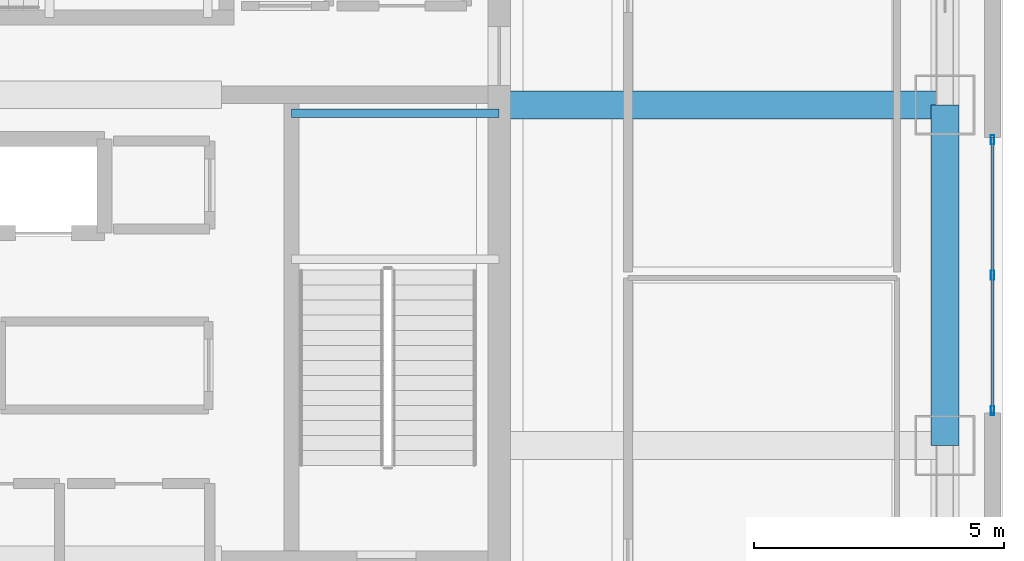
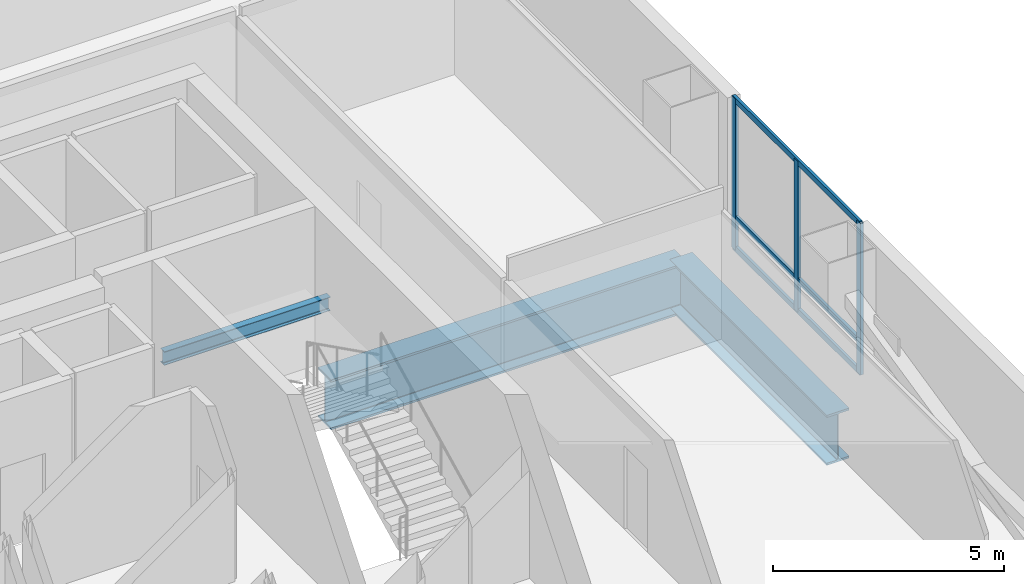
# One storey, part 7 of 28: 6 members, 3 beams, 1 element without a shape of its own.
"""IFC4 building model written with IfcOpenShell, lengths in metres."""

import ifcopenshell
import ifcopenshell.guid

model = None  # the IFC model being written
_history = None  # IfcOwnerHistory: only IFC2X3 demands one
_inside = {}  # id of a spatial element -> (the spatial element, [elements in it])
_under = {}  # id of a project, library or spatial element -> (it, [spatial elements below it])
_declared = {}  # id of a project -> (the project, [libraries it declares])
_typed = {}  # id of a type object -> (the type object, [elements of that type])
_made_of = {}  # id of a material, layer set ... -> (it, [elements and type objects made of it])


def new_model(schema):
    """Start an empty IFC model of exactly this schema.

    Asked for "IFC4X3", IfcOpenShell would pick the latest addendum, in which some entities
    have other attributes; the version numbers below select the first issue.
    IFC2X3 requires an IfcOwnerHistory on every rooted entity: one is made here for all.
    """
    global model, _history
    if schema == "IFC4X3":
        model = ifcopenshell.file(schema_version=(4, 3, 0, 0))
    else:
        model = ifcopenshell.file(schema=schema)
    _inside.clear()
    _under.clear()
    _declared.clear()
    _typed.clear()
    _made_of.clear()
    _history = None
    if model.schema == "IFC2X3":
        org = make("IfcOrganization", Name="unknown")
        user = make(
            "IfcPersonAndOrganization",
            ThePerson=make("IfcPerson", FamilyName="unknown"),
            TheOrganization=org,
        )
        app = make(
            "IfcApplication",
            ApplicationDeveloper=org,
            Version="unknown",
            ApplicationFullName="unknown",
            ApplicationIdentifier="unknown",
        )
        _history = make(
            "IfcOwnerHistory",
            OwningUser=user,
            OwningApplication=app,
            ChangeAction="ADDED",
            CreationDate=0,
        )
    return model


def make(cls, **values):
    """One entity of the class cls with the attributes given. An attribute that is None is left unset."""
    return model.create_entity(
        cls, **{name: value for name, value in values.items() if value is not None}
    )


def rooted(cls, **values):
    """An entity with a GlobalId (a new one), such as an element, a storey or a relation."""
    return make(cls, GlobalId=ifcopenshell.guid.new(), OwnerHistory=_history, **values)


def si_unit(unit_type, name, prefix=None):
    """IfcSIUnit, for example si_unit("LENGTHUNIT", "METRE", prefix="MILLI")."""
    return make("IfcSIUnit", UnitType=unit_type, Prefix=prefix, Name=name)


def assignment(units):
    """IfcUnitAssignment: the units of a project."""
    return None if units is None else make("IfcUnitAssignment", Units=units)


def point(xyz):
    """IfcCartesianPoint."""
    return None if xyz is None else make("IfcCartesianPoint", Coordinates=xyz)


def direction(xyz):
    """IfcDirection."""
    return None if xyz is None else make("IfcDirection", DirectionRatios=xyz)


def frame(location, z_axis=None, x_axis=None):
    """IfcAxis2Placement3D, a coordinate frame: its origin and axes. An axis left out is left unset."""
    return make(
        "IfcAxis2Placement3D",
        Location=point(location),
        Axis=direction(z_axis),
        RefDirection=direction(x_axis),
    )


def frame_2d(location, x_axis=None):
    """IfcAxis2Placement2D, a coordinate frame in the plane: its origin and x axis."""
    return make(
        "IfcAxis2Placement2D", Location=point(location), RefDirection=direction(x_axis)
    )


def origin():
    """The frame at (0, 0, 0) with its axes left unset."""
    return frame((0.0, 0.0, 0.0))


def origin_2d():
    """The frame at (0, 0) in the plane with its x axis left unset."""
    return frame_2d((0.0, 0.0))


def place(relative_to, where):
    """IfcLocalPlacement: puts the frame where relative to a parent placement (None: the world)."""
    return make(
        "IfcLocalPlacement", PlacementRelTo=relative_to, RelativePlacement=where
    )


def context(
    kind, dimensions, precision=None, world=None, true_north=None, identifier=None
):
    """IfcGeometricRepresentationContext, for example the 3D "Model" context."""
    return make(
        "IfcGeometricRepresentationContext",
        ContextIdentifier=identifier,
        ContextType=kind,
        CoordinateSpaceDimension=dimensions,
        Precision=precision,
        WorldCoordinateSystem=world,
        TrueNorth=true_north,
    )


def subcontext(parent, identifier, kind, view, scale=None):
    """IfcGeometricRepresentationSubContext, for example "Body" below "Model"."""
    return make(
        "IfcGeometricRepresentationSubContext",
        ContextIdentifier=identifier,
        ContextType=kind,
        ParentContext=parent,
        TargetScale=scale,
        TargetView=view,
    )


def project(units=None, contexts=None):
    """IfcProject with its units and contexts."""
    return rooted(
        "IfcProject",
        Name="project",
        RepresentationContexts=contexts,
        UnitsInContext=assignment(units),
    )


def spatial(cls, under=None, at=None, **own):
    """A site, building, storey or space (cls), placed at a placement, below another one or the project."""
    s = rooted(cls, ObjectPlacement=at, **own)
    if under is not None:
        _under.setdefault(under.id(), (under, []))[1].append(s)
    return s


def profile(cls, at=None, kind="AREA", **sizes):
    """A parametric profile (cls). Its sizes go by their IFC names, for example OverallWidth=200.0."""
    return make(cls, ProfileType=kind, Position=at, **sizes)


def hollow_rectangle(**sizes):
    """IfcRectangleHollowProfileDef."""
    return profile("IfcRectangleHollowProfileDef", **sizes)


def i_section(**sizes):
    """IfcIShapeProfileDef."""
    return profile("IfcIShapeProfileDef", **sizes)


def extrude(swept, where, along, depth):
    """IfcExtrudedAreaSolid: the profile swept, set in the frame where, extruded along a direction by depth."""
    return make(
        "IfcExtrudedAreaSolid",
        SweptArea=swept,
        Position=where,
        ExtrudedDirection=direction(along),
        Depth=depth,
    )


def shape(context_of_items, identifier, shape_type, items):
    """IfcShapeRepresentation: the items that make up one representation, for example the "Body"."""
    return make(
        "IfcShapeRepresentation",
        ContextOfItems=context_of_items,
        RepresentationIdentifier=identifier,
        RepresentationType=shape_type,
        Items=items,
    )


def material(Name=None, Category=None):
    """IfcMaterial."""
    return make("IfcMaterial", Name=Name, Category=Category)


def material_profile(
    of_material, cross_section, Name=None, Category=None, Priority=None
):
    """IfcMaterialProfile: a cross section and its material."""
    return make(
        "IfcMaterialProfile",
        Name=Name,
        Material=of_material,
        Profile=cross_section,
        Priority=Priority,
        Category=Category,
    )


def profile_set(profiles, Name=None, composite=None):
    """IfcMaterialProfileSet."""
    return make(
        "IfcMaterialProfileSet",
        Name=Name,
        MaterialProfiles=profiles,
        CompositeProfile=composite,
    )


def made_of(thing, what):
    """Note that an element or type object is made of a material, layer set ...; save() writes the relation."""
    if what is not None:
        _made_of.setdefault(what.id(), (what, []))[1].append(thing)
    return thing


def type_object(cls, material=None, **own):
    """A type object (cls), such as IfcWallType, which elements share."""
    return made_of(rooted(cls, **own), material)


def element(
    cls,
    number,
    at=None,
    inside=None,
    cuts=None,
    type_object=None,
    material=None,
    context=None,
    identifier="Body",
    shape_type=None,
    held_by="IfcProductDefinitionShape",
    body=None,
    shapes=None,
    **own,
):
    """One element of the class cls, such as IfcWall. Its Tag is "e" and its number.

    at: its placement. inside: the storey or other place that contains it. cuts: it is an
    opening in that element (IfcRelVoidsElement). A single representation is given by context,
    identifier, shape_type and body (its items); several are given by shapes. held_by: the class
    of the entity that holds the representations. save() writes the other relations.
    """
    e = rooted(cls, Tag="e%d" % number, ObjectPlacement=at, **own)
    if body is not None:
        shapes = [shape(context, identifier, shape_type, body)]
    if shapes is not None:
        e.Representation = make(held_by, Representations=shapes)
    if inside is not None:
        _inside.setdefault(inside.id(), (inside, []))[1].append(e)
    if cuts is not None:
        rooted(
            "IfcRelVoidsElement", RelatingBuildingElement=cuts, RelatedOpeningElement=e
        )
    if type_object is not None:
        _typed.setdefault(type_object.id(), (type_object, []))[1].append(e)
    return made_of(e, material)


def aggregate(whole, parts):
    """IfcRelAggregates: a whole, such as a stair, and the parts it consists of."""
    return rooted("IfcRelAggregates", RelatingObject=whole, RelatedObjects=parts)


def save(model, path):
    """Write the relations noted so far, then the file.

    IfcRelAggregates (storeys below a building ...), IfcRelContainedInSpatialStructure (elements
    in a storey), IfcRelDefinesByType, IfcRelAssociatesMaterial and IfcRelDeclares: one each for
    every whole, place, type object, material and project.
    """
    for whole, parts in _under.values():
        aggregate(whole, parts)
    for where, things in _inside.values():
        rooted(
            "IfcRelContainedInSpatialStructure",
            RelatedElements=things,
            RelatingStructure=where,
        )
    for kind, things in _typed.values():
        rooted("IfcRelDefinesByType", RelatedObjects=things, RelatingType=kind)
    for what, things in _made_of.values():
        rooted("IfcRelAssociatesMaterial", RelatedObjects=things, RelatingMaterial=what)
    for by, libraries in _declared.values():
        rooted("IfcRelDeclares", RelatingContext=by, RelatedDefinitions=libraries)
    model.write(path)


model = new_model("IFC4")

# Units and contexts
model_context = context("Model", 3, precision=1e-05, world=origin(), true_north=direction((0.0, 1.0)))
body_context = subcontext(model_context, "Body", "Model", "MODEL_VIEW")
ifc_project = project(units=[si_unit("LENGTHUNIT", "METRE"), si_unit("AREAUNIT", "SQUARE_METRE"), si_unit("VOLUMEUNIT", "CUBIC_METRE"), si_unit("PLANEANGLEUNIT", "RADIAN"), si_unit("MASSUNIT", "GRAM", prefix="KILO")], contexts=[model_context])

# Site, building, storey
site_placement = place(None, origin())
site = spatial("IfcSite", under=ifc_project, at=site_placement, CompositionType="ELEMENT")
building_placement = place(site_placement, origin())
building = spatial("IfcBuilding", under=site, at=building_placement, Name="Punatoya Terracotta Tower", CompositionType="ELEMENT")
storey_placement = place(building_placement, frame((0.0, 0.0, 317.39990234375)))
storey = spatial("IfcBuildingStorey", under=building, at=storey_placement, Name="L75", CompositionType="ELEMENT", Elevation=317.39990234375)

# Beams
ifc_material_1 = material(Name="Steel S355", Category="steel")
ifc_material_profile_1 = material_profile(ifc_material_1, i_section(OverallWidth=0.169921875, OverallDepth=0.360107421875, WebThickness=0.008056640625, FlangeThickness=0.0126953125, FilletRadius=0.01806640625, at=origin_2d()))
ifc_profile_set_1 = profile_set([ifc_material_profile_1], Name="Steel S355")
beam_type_1 = type_object("IfcBeamType", Name="BM-SEC-360", PredefinedType="JOIST", material=ifc_profile_set_1)
beam_1_placement = place(storey_placement, frame((6.050048828125, 3.22998046875, 1.72021484375), z_axis=(1.0, 0.0, 0.0), x_axis=(0.0, 1.0, 0.0)))
element("IfcBeam", 1, at=beam_1_placement, inside=storey, type_object=beam_type_1, Name="BM-L75-ST-2-LD1B", PredefinedType="JOIST", context=body_context, shape_type="SweptSolid", body=[
    extrude(i_section(OverallWidth=0.169921875, OverallDepth=0.360107421875, WebThickness=0.008056640625, FlangeThickness=0.0126953125, FilletRadius=0.01806640625, at=origin_2d()), origin(), (0.0, 0.0, 1.0), 4.14990234375),
])
ifc_material_2 = material(Name="Steel S460", Category="steel")
ifc_material_profile_2 = material_profile(ifc_material_2, i_section(OverallWidth=0.56005859375, OverallDepth=1.320068359375, WebThickness=0.035888671875, FlangeThickness=0.054931640625, FilletRadius=0.01806640625, at=origin_2d()))
ifc_profile_set_2 = profile_set([ifc_material_profile_2], Name="Steel S460")
beam_type_2 = type_object("IfcBeamType", Name="BM-TG-BLK", PredefinedType="BEAM", material=ifc_profile_set_2)
beam_2_placement = place(storey_placement, frame((19.10009765625, -3.39990234375, -0.93994140625), z_axis=(0.0, 1.0, 0.0), x_axis=(-1.0, 0.0, 0.0)))
element("IfcBeam", 2, at=beam_2_placement, inside=storey, type_object=beam_type_2, Name="BM-L75-RG-E2", PredefinedType="BEAM", context=body_context, shape_type="SweptSolid", body=[
    extrude(i_section(OverallWidth=0.56005859375, OverallDepth=1.320068359375, WebThickness=0.035888671875, FlangeThickness=0.054931640625, FilletRadius=0.01806640625, at=origin_2d()), origin(), (0.0, 0.0, 1.0), 6.7998046875),
])
beam_3_placement = place(storey_placement, frame((10.199951171875, 3.39990234375, -0.93994140625), z_axis=(1.0, 0.0, 0.0), x_axis=(0.0, 1.0, 0.0)))
element("IfcBeam", 3, at=beam_3_placement, inside=storey, type_object=beam_type_2, Name="BM-L75-PR-EE", PredefinedType="BEAM", context=body_context, shape_type="SweptSolid", body=[
    extrude(i_section(OverallWidth=0.56005859375, OverallDepth=1.320068359375, WebThickness=0.035888671875, FlangeThickness=0.054931640625, FilletRadius=0.01806640625, at=origin_2d()), origin(), (0.0, 0.0, 1.0), 8.900146484375),
])

# Curtain wall, members
ifc_material_3 = material(Name="Aluminium 6063-T6 + Double Low-E Glass", Category="aluminium")
curtain_wall_type = type_object("IfcCurtainWallType", Name="CW-OBS", PredefinedType="NOTDEFINED", material=ifc_material_3)
curtain_wall_placement = place(storey_placement, origin())
curtain_wall = element("IfcCurtainWall", 4, at=curtain_wall_placement, inside=storey, type_object=curtain_wall_type, Name="L75 Curtain Wall CW-L75-E05-1", PredefinedType="NOTDEFINED")
ifc_material_4 = material(Name="Aluminium 6063-T6", Category="aluminium")
ifc_material_profile_3 = material_profile(ifc_material_4, hollow_rectangle(XDim=0.070068359375, YDim=0.179931640625, WallThickness=0.00390625, at=origin_2d()))
ifc_profile_set_3 = profile_set([ifc_material_profile_3], Name="Aluminium 6063-T6")
member_type_1 = type_object("IfcMemberType", Name="CW-MUL-M3", PredefinedType="MULLION", material=ifc_profile_set_3)
member_1_placement = place(storey_placement, frame((20.050048828125, -2.705078125, 0.0), z_axis=(0.0, 0.0, 1.0), x_axis=(1.0, 0.0, 0.0)))
member_1 = element("IfcMember", 5, at=member_1_placement, type_object=member_type_1, Name="CW-L75-E05-1 Mullion 00", PredefinedType="MULLION", context=body_context, shape_type="SweptSolid", body=[
    extrude(hollow_rectangle(XDim=0.070068359375, YDim=0.179931640625, WallThickness=0.00390625, at=origin_2d()), origin(), (0.0, 0.0, 1.0), 4.0),
])
member_2_placement = place(storey_placement, frame((20.050048828125, 0.0, 0.0), z_axis=(0.0, 0.0, 1.0), x_axis=(1.0, 0.0, 0.0)))
member_2 = element("IfcMember", 6, at=member_2_placement, type_object=member_type_1, Name="CW-L75-E05-1 Mullion 01", PredefinedType="MULLION", context=body_context, shape_type="SweptSolid", body=[
    extrude(hollow_rectangle(XDim=0.070068359375, YDim=0.179931640625, WallThickness=0.00390625, at=origin_2d()), origin(), (0.0, 0.0, 1.0), 4.0),
])
member_3_placement = place(storey_placement, frame((20.050048828125, 2.705078125, 0.0), z_axis=(0.0, 0.0, 1.0), x_axis=(1.0, 0.0, 0.0)))
member_3 = element("IfcMember", 7, at=member_3_placement, type_object=member_type_1, Name="CW-L75-E05-1 Mullion 02", PredefinedType="MULLION", context=body_context, shape_type="SweptSolid", body=[
    extrude(hollow_rectangle(XDim=0.070068359375, YDim=0.179931640625, WallThickness=0.00390625, at=origin_2d()), origin(), (0.0, 0.0, 1.0), 4.0),
])
ifc_material_profile_4 = material_profile(ifc_material_4, hollow_rectangle(XDim=0.068115234375, YDim=0.14990234375, WallThickness=0.00390625, at=origin_2d()))
ifc_profile_set_4 = profile_set([ifc_material_profile_4], Name="Aluminium 6063-T6")
member_type_2 = type_object("IfcMemberType", Name="CW-TRN-TYP", PredefinedType="USERDEFINED", material=ifc_profile_set_4)
member_4_placement = place(storey_placement, frame((20.050048828125, -2.75, 0.0400390625), z_axis=(0.0, 1.0, 0.0), x_axis=(-1.0, 0.0, 0.0)))
member_4 = element("IfcMember", 8, at=member_4_placement, type_object=member_type_2, Name="CW-L75-E05-1 Transom 1", ObjectType="TRANSOM", PredefinedType="USERDEFINED", context=body_context, shape_type="SweptSolid", body=[
    extrude(hollow_rectangle(XDim=0.068115234375, YDim=0.14990234375, WallThickness=0.00390625, at=origin_2d()), origin(), (0.0, 0.0, 1.0), 5.5),
])
member_5_placement = place(storey_placement, frame((20.050048828125, -2.75, 0.85009765625), z_axis=(0.0, 1.0, 0.0), x_axis=(-1.0, 0.0, 0.0)))
member_5 = element("IfcMember", 9, at=member_5_placement, type_object=member_type_2, Name="CW-L75-E05-1 Transom 2", ObjectType="TRANSOM", PredefinedType="USERDEFINED", context=body_context, shape_type="SweptSolid", body=[
    extrude(hollow_rectangle(XDim=0.068115234375, YDim=0.14990234375, WallThickness=0.00390625, at=origin_2d()), origin(), (0.0, 0.0, 1.0), 5.5),
])
member_6_placement = place(storey_placement, frame((20.050048828125, -2.75, 3.960205078125), z_axis=(0.0, 1.0, 0.0), x_axis=(-1.0, 0.0, 0.0)))
member_6 = element("IfcMember", 10, at=member_6_placement, type_object=member_type_2, Name="CW-L75-E05-1 Transom 3", ObjectType="TRANSOM", PredefinedType="USERDEFINED", context=body_context, shape_type="SweptSolid", body=[
    extrude(hollow_rectangle(XDim=0.068115234375, YDim=0.14990234375, WallThickness=0.00390625, at=origin_2d()), origin(), (0.0, 0.0, 1.0), 5.5),
])
aggregate(curtain_wall, [member_1, member_2, member_3, member_4, member_5, member_6])

save(model, "model.ifc")
